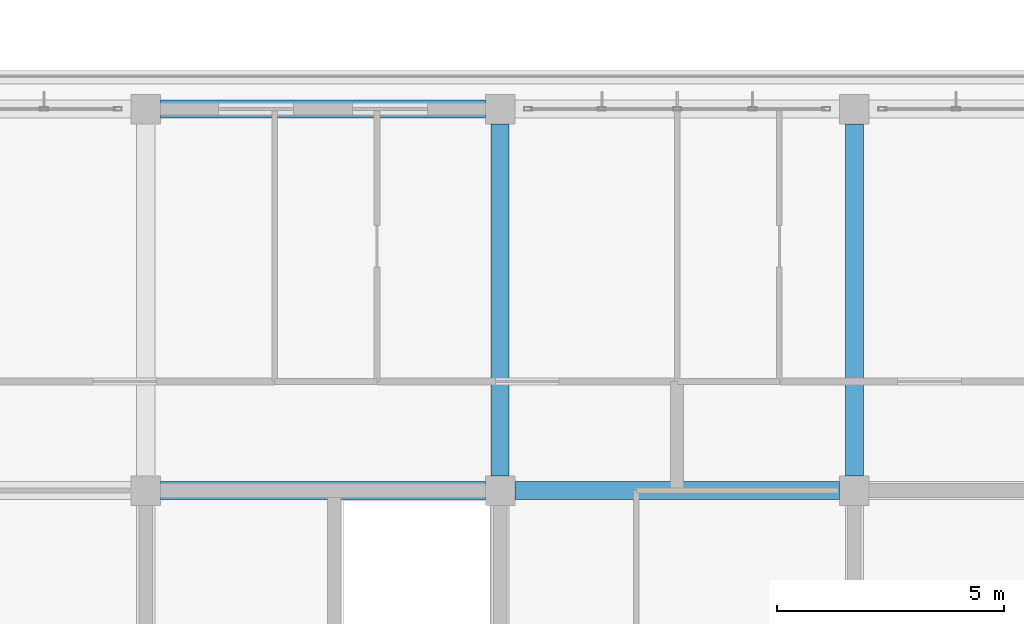
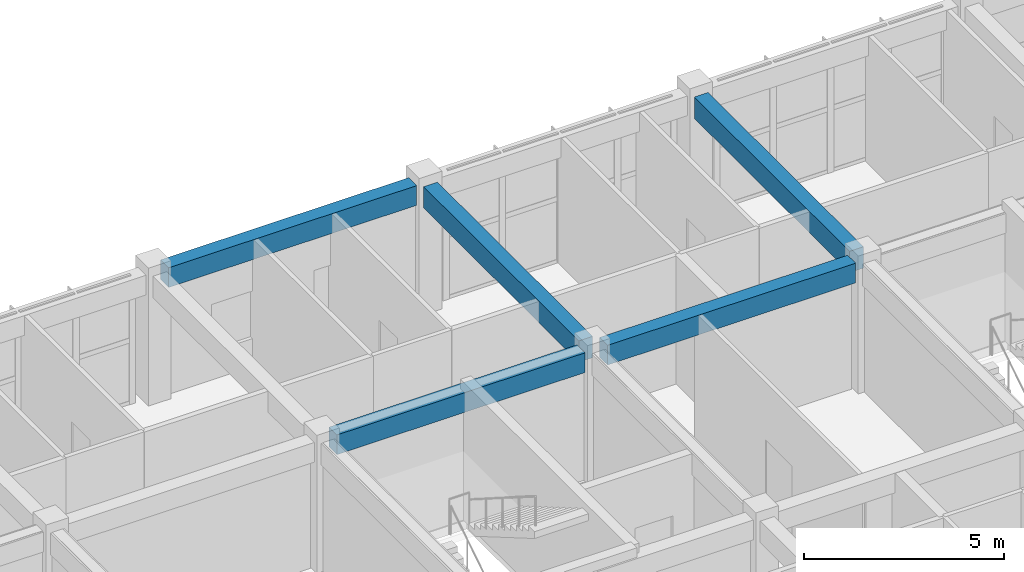
# One storey, part 18 of 57: 5 beams.
"""IFC4 building model written with IfcOpenShell, lengths in metres."""

from ifc_helpers import new_model, si_unit, direction, frame, origin, origin_2d, place, context, subcontext, project, spatial, rectangle, extrude, material, material_profile, profile_set, type_object, element, save


model = new_model("IFC4")

# Units and contexts
model_context = context("Model", 3, precision=1e-05, world=origin(), true_north=direction((0.0, 1.0)))
body_context = subcontext(model_context, "Body", "Model", "MODEL_VIEW")
ifc_project = project(units=[si_unit("LENGTHUNIT", "METRE"), si_unit("AREAUNIT", "SQUARE_METRE"), si_unit("VOLUMEUNIT", "CUBIC_METRE"), si_unit("PLANEANGLEUNIT", "RADIAN"), si_unit("MASSUNIT", "GRAM", prefix="KILO")], contexts=[model_context])

# Site, building, storey
site_placement = place(None, origin())
site = spatial("IfcSite", under=ifc_project, at=site_placement, CompositionType="ELEMENT")
building_placement = place(site_placement, origin())
building = spatial("IfcBuilding", under=site, at=building_placement, Name="Zizhar Promenade General Hospital", CompositionType="ELEMENT")
storey_placement = place(building_placement, frame((0.0, 0.0, 22.199951171875)))
storey = spatial("IfcBuildingStorey", under=building, at=storey_placement, Name="L05", CompositionType="ELEMENT", Elevation=22.199951171875)

# Beams
ifc_material_1 = material(Name="Concrete C35/45", Category="concrete")
ifc_material_profile_1 = material_profile(ifc_material_1, rectangle(XDim=0.39990234375, YDim=0.60009765625, at=origin_2d()))
ifc_profile_set_1 = profile_set([ifc_material_profile_1], Name="Concrete C35/45")
beam_type_1 = type_object("IfcBeamType", Name="BM-RC-400x600", PredefinedType="JOIST", material=ifc_profile_set_1)
for number, where, z_axis, x_axis, name in (
    (1, (62.72509765625, 16.800048828125, 3.610107421875), (1.0, 0.0, 0.0), (0.0, 1.0, 0.0), "Grid Beam X L05 (8-2)"),
    (2, (62.72509765625, 25.199951171875, 3.610107421875), (1.0, 0.0, 0.0), (0.0, 1.0, 0.0), "Grid Beam X L05 (8-3)"),
):
    element("IfcBeam", number, at=place(storey_placement, frame(where, z_axis=z_axis, x_axis=x_axis)), inside=storey, type_object=beam_type_1, Name=name, PredefinedType="JOIST", context=body_context, shape_type="SweptSolid", body=[
        extrude(rectangle(XDim=0.39990234375, YDim=0.60009765625, at=origin_2d()), origin(), (0.0, 0.0, 1.0), 7.14990234375),
    ])
beam_placement = place(storey_placement, frame((70.52490234375, 16.800048828125, 3.610107421875), z_axis=(1.0, 0.0, 0.0), x_axis=(0.0, 1.0, 0.0)))
element("IfcBeam", 3, at=beam_placement, inside=storey, type_object=beam_type_1, Name="Grid Beam X L05 (9-2)", PredefinedType="JOIST", context=body_context, shape_type="SweptSolid", body=[
    extrude(rectangle(XDim=0.39990234375, YDim=0.60009765625, at=origin_2d()), origin(), (0.0, 0.0, 1.0), 7.150146484375),
])
ifc_material_2 = material(Name="Concrete C35/45", Category="concrete")
ifc_material_profile_2 = material_profile(ifc_material_2, rectangle(XDim=0.39990234375, YDim=0.64990234375, at=origin_2d()))
ifc_profile_set_2 = profile_set([ifc_material_profile_2], Name="Concrete C35/45")
beam_type_2 = type_object("IfcBeamType", Name="BM-RC-400x650", PredefinedType="BEAM", material=ifc_profile_set_2)
for number, where, z_axis, x_axis, name in (
    (4, (70.199951171875, 17.125, 3.5849609375), (0.0, 1.0, 0.0), (-1.0, 0.0, 0.0), "Grid Beam Y L05 (9-2)"),
    (5, (78.0, 17.125, 3.5849609375), (0.0, 1.0, 0.0), (-1.0, 0.0, 0.0), "Grid Beam Y L05 (10-2)"),
):
    element("IfcBeam", number, at=place(storey_placement, frame(where, z_axis=z_axis, x_axis=x_axis)), inside=storey, type_object=beam_type_2, Name=name, PredefinedType="BEAM", context=body_context, shape_type="SweptSolid", body=[
        extrude(rectangle(XDim=0.39990234375, YDim=0.64990234375, at=origin_2d()), origin(), (0.0, 0.0, 1.0), 7.75),
    ])

save(model, "model.ifc")
